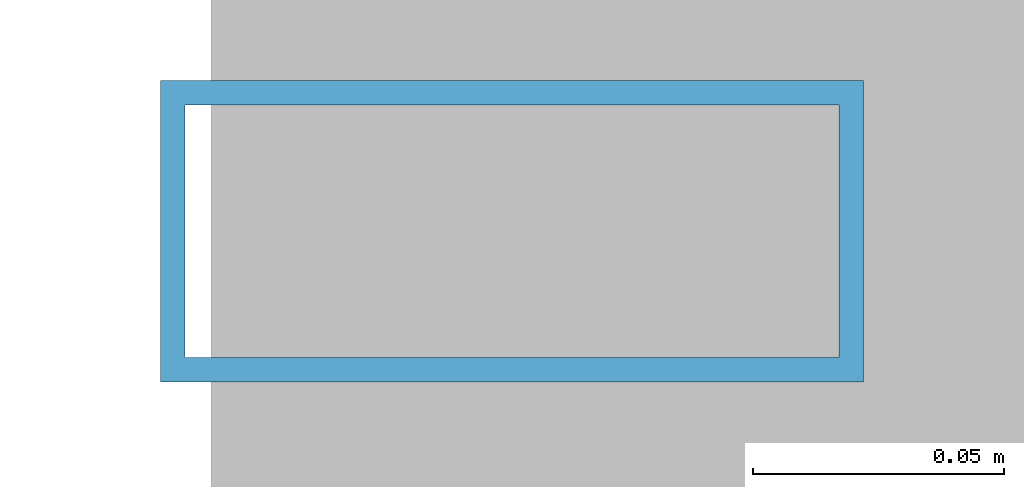
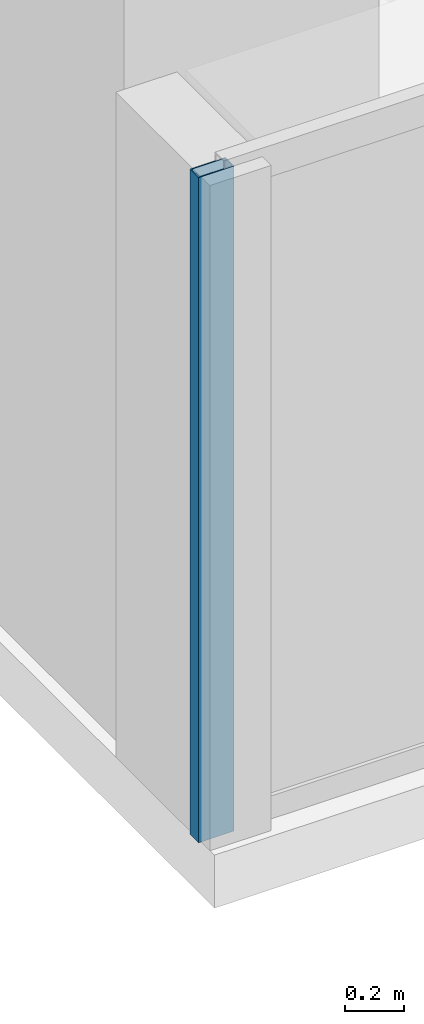
# One storey, part 6 of 30: 1 member, 1 element without a shape of its own.
"""IFC4 building model written with IfcOpenShell, lengths in metres."""

from ifc_helpers import new_model, si_unit, direction, frame, origin, origin_2d, place, context, subcontext, project, spatial, hollow_rectangle, extrude, source, transform, mapped, material, layer, layer_set, material_profile, profile_set, type_object, element, aggregate, save


model = new_model("IFC4")

# Units and contexts
model_context = context("Model", 3, precision=1e-05, world=origin(), true_north=direction((0.0, 1.0)))
body_context = subcontext(model_context, "Body", "Model", "MODEL_VIEW")
ifc_project = project(units=[si_unit("LENGTHUNIT", "METRE"), si_unit("AREAUNIT", "SQUARE_METRE"), si_unit("VOLUMEUNIT", "CUBIC_METRE"), si_unit("PLANEANGLEUNIT", "RADIAN"), si_unit("MASSUNIT", "GRAM", prefix="KILO")], contexts=[model_context])

# Site, building, storey
site_placement = place(None, origin())
site = spatial("IfcSite", under=ifc_project, at=site_placement, CompositionType="ELEMENT")
building_placement = place(site_placement, origin())
building = spatial("IfcBuilding", under=site, at=building_placement, Name="Sumidabori Civic Tower", CompositionType="ELEMENT")
storey_placement = place(building_placement, frame((0.0, 0.0, 200.0)))
storey = spatial("IfcBuildingStorey", under=building, at=storey_placement, Name="L51", CompositionType="ELEMENT", Elevation=200.0)

# Curtain wall, member
ifc_material = material(Name="Anodised Bronze Aluminium AW-6063-T6", Category="aluminium")
ifc_layer = layer(ifc_material, 0.179931640625, Name="Anodised Bronze Aluminium AW-6063-T6")
ifc_layer_set = layer_set([ifc_layer], Name="Anodised Bronze Aluminium AW-6063-T6")
curtain_wall_type = type_object("IfcCurtainWallType", Name="CW-SYS-5", PredefinedType="NOTDEFINED", material=ifc_layer_set)
curtain_wall_placement = place(storey_placement, origin())
curtain_wall = element("IfcCurtainWall", 1, at=curtain_wall_placement, inside=storey, type_object=curtain_wall_type, Name="Curtain Wall CW:L51:R09", PredefinedType="NOTDEFINED")
ifc_material_profile = material_profile(ifc_material, hollow_rectangle(XDim=0.06005859375, YDim=0.139892578125, WallThickness=0.0048828125, at=origin_2d()), Name="ALU MULLION 140x60")
ifc_profile_set = profile_set([ifc_material_profile], Name="Anodised Bronze Aluminium AW-6063-T6")
member_type = type_object("IfcMemberType", Name="CW-MUL-140", PredefinedType="MULLION", material=ifc_profile_set)
shared_shape = source(origin(), body_context, "Body", "SweptSolid", [
    extrude(hollow_rectangle(XDim=0.06005859375, YDim=0.139892578125, WallThickness=0.0048828125, at=origin_2d()), origin(), (0.0, 0.0, 1.0), 2.760009765625),
])
member_placement = place(storey_placement, frame((7.909912109375, -11.8798828125, 0.0), z_axis=(0.0, 0.0, 1.0), x_axis=(0.0, 1.0, 0.0)))
member = element("IfcMember", 2, at=member_placement, type_object=member_type, Name="CW-5 mullion 1", PredefinedType="MULLION", context=body_context, shape_type="MappedRepresentation", body=[
    mapped(shared_shape, transform((0.0, 0.0, 0.0), x_axis=(1.0, 0.0, 0.0), y_axis=(0.0, 1.0, 0.0), z_axis=(0.0, 0.0, 1.0), scale=1.0)),
])
aggregate(curtain_wall, [member])

save(model, "model.ifc")
